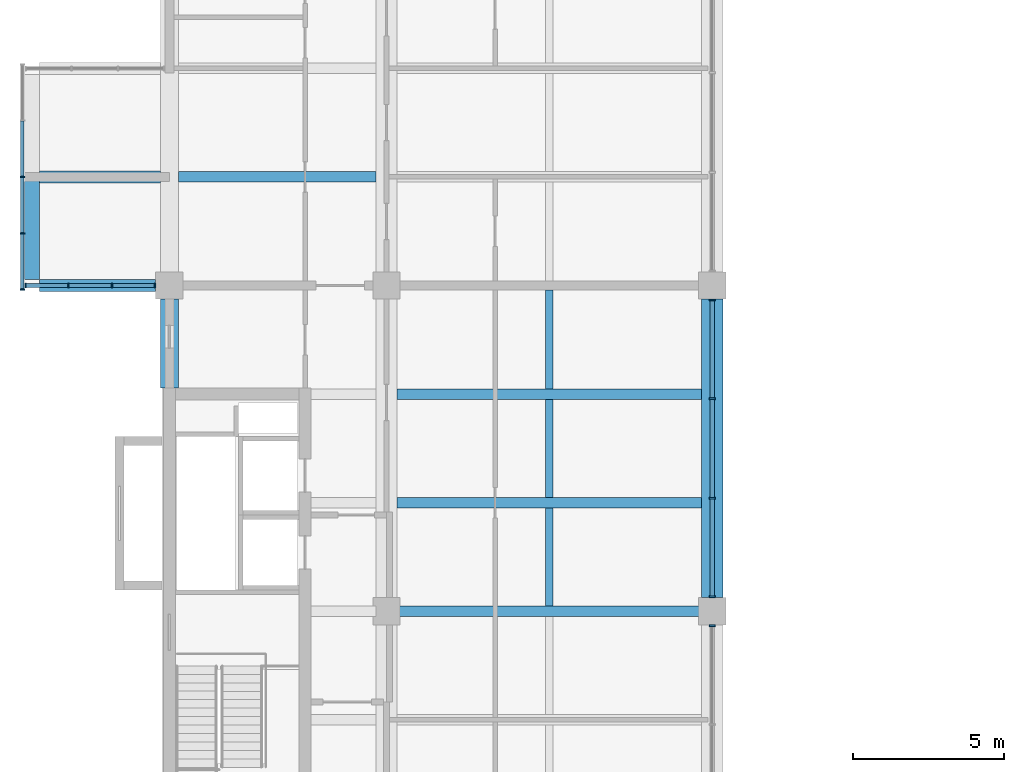
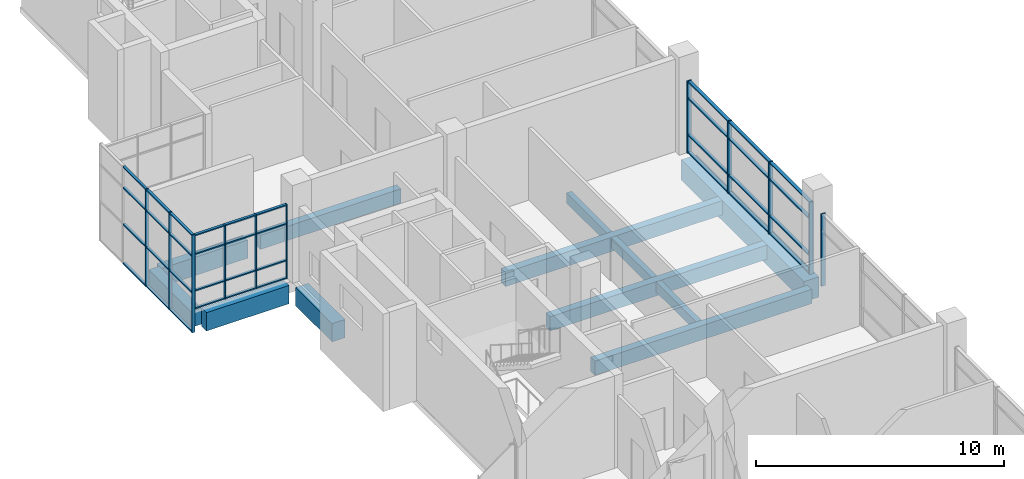
# One storey, part 7 of 23: 48 members, 12 beams, 4 elements without a shape of their own.
"""IFC4 building model written with IfcOpenShell, lengths in metres."""

from ifc_helpers import new_model, si_unit, direction, frame, origin, origin_2d, place, context, subcontext, project, spatial, rectangle, extrude, material, layer, layer_set, material_profile, profile_set, type_object, element, aggregate, save


model = new_model("IFC4")

# Units and contexts
model_context = context("Model", 3, precision=1e-05, world=origin(), true_north=direction((0.0, 1.0)))
body_context = subcontext(model_context, "Body", "Model", "MODEL_VIEW")
ifc_project = project(units=[si_unit("LENGTHUNIT", "METRE"), si_unit("AREAUNIT", "SQUARE_METRE"), si_unit("VOLUMEUNIT", "CUBIC_METRE"), si_unit("PLANEANGLEUNIT", "RADIAN"), si_unit("MASSUNIT", "GRAM", prefix="KILO")], contexts=[model_context])

# Site, building, storey
site_placement = place(None, origin())
site = spatial("IfcSite", under=ifc_project, at=site_placement, CompositionType="ELEMENT")
building_placement = place(site_placement, origin())
building = spatial("IfcBuilding", under=site, at=building_placement, Name="Basin Gate Institute", CompositionType="ELEMENT")
storey_placement = place(building_placement, frame((0.0, 0.0, 46.199951171875)))
storey = spatial("IfcBuildingStorey", under=building, at=storey_placement, Name="L09", CompositionType="ELEMENT", Elevation=46.199951171875)

# Beams
ifc_material_1 = material(Name="Concrete 40 MPa", Category="concrete")
ifc_material_profile_1 = material_profile(ifc_material_1, rectangle(XDim=0.35009765625, YDim=0.699951171875, at=origin_2d()), Name="Beam B1 350 x 700")
ifc_profile_set_1 = profile_set([ifc_material_profile_1], Name="Concrete 40 MPa")
beam_type_1 = type_object("IfcBeamType", Name="Beam B1 R120", PredefinedType="BEAM", material=ifc_profile_set_1)
for number, where, z_axis, x_axis, name in (
    (1, (68.75, 67.5, -0.599853515625), (1.0, 0.0, 0.0), (0.0, 1.0, 0.0), "BEAM/L09/W/EW/10"),
    (2, (68.75, 71.10009765625, -0.599853515625), (1.0, 0.0, 0.0), (0.0, 1.0, 0.0), "BEAM/L09/W/EW/11"),
    (3, (68.75, 74.699951171875, -0.599853515625), (1.0, 0.0, 0.0), (0.0, 1.0, 0.0), "BEAM/L09/W/EW/12"),
):
    element("IfcBeam", number, at=place(storey_placement, frame(where, z_axis=z_axis, x_axis=x_axis)), inside=storey, type_object=beam_type_1, material=ifc_profile_set_1, Name=name, PredefinedType="BEAM", context=body_context, shape_type="SweptSolid", body=[
        extrude(rectangle(XDim=0.35009765625, YDim=0.699951171875, at=origin_2d()), origin(), (0.0, 0.0, 1.0), 10.10009765625),
    ])
beam_1_placement = place(storey_placement, frame((61.5, 81.89990234375, -0.599853515625), z_axis=(1.0, 0.0, 0.0), x_axis=(0.0, 1.0, 0.0)))
element("IfcBeam", 4, at=beam_1_placement, inside=storey, type_object=beam_type_1, material=ifc_profile_set_1, Name="BEAM/L09/W/OUT/14", PredefinedType="BEAM", context=body_context, shape_type="SweptSolid", body=[
    extrude(rectangle(XDim=0.35009765625, YDim=0.699951171875, at=origin_2d()), origin(), (0.0, 0.0, 1.0), 6.550048828125),
])
ifc_material_2 = material(Name="Concrete 50 MPa", Category="concrete")
ifc_material_profile_2 = material_profile(ifc_material_2, rectangle(XDim=0.39990234375, YDim=0.89990234375, at=origin_2d()), Name="Cantilever beam B3 400 x 900")
ifc_profile_set_2 = profile_set([ifc_material_profile_2], Name="Concrete 50 MPa")
beam_type_2 = type_object("IfcBeamType", Name="Cantilever beam B3 R120", PredefinedType="BEAM", material=ifc_profile_set_2)
beam_2_placement = place(storey_placement, frame((56.89990234375, 78.300048828125, -0.699951171875), z_axis=(1.0, 0.0, 0.0), x_axis=(0.0, 1.0, 0.0)))
element("IfcBeam", 5, at=beam_2_placement, inside=storey, type_object=beam_type_2, material=ifc_profile_set_2, Name="BEAM/L09/W/CANT/13", PredefinedType="BEAM", context=body_context, shape_type="SweptSolid", body=[
    extrude(rectangle(XDim=0.39990234375, YDim=0.89990234375, at=origin_2d()), origin(), (0.0, 0.0, 1.0), 3.85009765625),
])
beam_3_placement = place(storey_placement, frame((56.89990234375, 81.89990234375, -0.699951171875), z_axis=(1.0, 0.0, 0.0), x_axis=(0.0, 1.0, 0.0)))
element("IfcBeam", 6, at=beam_3_placement, inside=storey, type_object=beam_type_2, material=ifc_profile_set_2, Name="BEAM/L09/W/CANT/14", PredefinedType="BEAM", context=body_context, shape_type="SweptSolid", body=[
    extrude(rectangle(XDim=0.39990234375, YDim=0.89990234375, at=origin_2d()), origin(), (0.0, 0.0, 1.0), 4.0),
])
ifc_material_3 = material(Name="Concrete 50 MPa", Category="concrete")
ifc_material_profile_3 = material_profile(ifc_material_3, rectangle(XDim=0.60009765625, YDim=0.89990234375, at=origin_2d()), Name="Edge return beam EB3 600 x 900")
ifc_profile_set_3 = profile_set([ifc_material_profile_3], Name="Concrete 50 MPa")
beam_type_3 = type_object("IfcBeamType", Name="Edge return beam EB3 R120", PredefinedType="SPANDREL", material=ifc_profile_set_3)
beam_4_placement = place(storey_placement, frame((61.199951171875, 74.89990234375, -0.699951171875), z_axis=(0.0, 1.0, 0.0), x_axis=(-1.0, 0.0, 0.0)))
element("IfcBeam", 7, at=beam_4_placement, inside=storey, type_object=beam_type_3, material=ifc_profile_set_3, Name="BEAM/L09/W/EDGE/3", PredefinedType="SPANDREL", context=body_context, shape_type="SweptSolid", body=[
    extrude(rectangle(XDim=0.60009765625, YDim=0.89990234375, at=origin_2d()), origin(), (0.0, 0.0, 1.0), 2.9501953125),
])
ifc_material_4 = material(Name="Concrete 50 MPa", Category="concrete")
ifc_material_profile_4 = material_profile(ifc_material_4, rectangle(XDim=0.699951171875, YDim=1.0, at=origin_2d()), Name="Girder G1 700 x 1000")
ifc_profile_set_4 = profile_set([ifc_material_profile_4], Name="Concrete 50 MPa")
beam_type_4 = type_object("IfcBeamType", Name="Girder G1 R120", PredefinedType="BEAM", material=ifc_profile_set_4)
beam_5_placement = place(storey_placement, frame((79.199951171875, 67.949951171875, -0.75), z_axis=(0.0, 1.0, 0.0), x_axis=(-1.0, 0.0, 0.0)))
element("IfcBeam", 8, at=beam_5_placement, inside=storey, type_object=beam_type_4, material=ifc_profile_set_4, Name="GIR/L09/W6/4", PredefinedType="BEAM", context=body_context, shape_type="SweptSolid", body=[
    extrude(rectangle(XDim=0.699951171875, YDim=1.0, at=origin_2d()), origin(), (0.0, 0.0, 1.0), 9.900146484375),
])

# Curtain wall, members
ifc_material_5 = material(Name="Aluminium-framed glazing", Category="aluminium")
ifc_layer_1 = layer(ifc_material_5, 0.14990234375)
ifc_layer_set_1 = layer_set([ifc_layer_1], Name="Capsule front curtain wall CW1")
curtain_wall_type_1 = type_object("IfcCurtainWallType", Name="Capsule front curtain wall CW1", PredefinedType="NOTDEFINED", material=ifc_layer_set_1)
curtain_wall_1_placement = place(storey_placement, origin())
curtain_wall_1 = element("IfcCurtainWall", 9, at=curtain_wall_1_placement, inside=storey, type_object=curtain_wall_type_1, material=ifc_layer_set_1, Name="Capsule front curtain wall W wing capsule end L09 line 13", PredefinedType="NOTDEFINED")
ifc_material_6 = material(Name="Aluminium", Category="aluminium")
ifc_material_profile_5 = material_profile(ifc_material_6, rectangle(XDim=0.14990234375, YDim=0.050048828125, at=origin_2d()), Name="Mullion MU1 150 x 50")
ifc_profile_set_5 = profile_set([ifc_material_profile_5], Name="Aluminium")
member_type_1 = type_object("IfcMemberType", Name="Mullion MU1", PredefinedType="MULLION", material=ifc_profile_set_5)
member_1_placement = place(storey_placement, frame((56.425048828125, 78.300048828125, 0.0), z_axis=(0.0, 0.0, 1.0), x_axis=(0.0, 1.0, 0.0)))
member_1 = element("IfcMember", 10, at=member_1_placement, type_object=member_type_1, material=ifc_profile_set_5, Name="CW1 mullion 1", PredefinedType="MULLION", context=body_context, shape_type="SweptSolid", body=[
    extrude(rectangle(XDim=0.14990234375, YDim=0.050048828125, at=origin_2d()), origin(), (0.0, 0.0, 1.0), 3.650146484375),
])
member_2_placement = place(storey_placement, frame((57.85009765625, 78.300048828125, 0.0), z_axis=(0.0, 0.0, 1.0), x_axis=(0.0, 1.0, 0.0)))
member_2 = element("IfcMember", 11, at=member_2_placement, type_object=member_type_1, material=ifc_profile_set_5, Name="CW1 mullion 2", PredefinedType="MULLION", context=body_context, shape_type="SweptSolid", body=[
    extrude(rectangle(XDim=0.14990234375, YDim=0.050048828125, at=origin_2d()), origin(), (0.0, 0.0, 1.0), 3.650146484375),
])
member_3_placement = place(storey_placement, frame((59.300048828125, 78.300048828125, 0.0), z_axis=(0.0, 0.0, 1.0), x_axis=(0.0, 1.0, 0.0)))
member_3 = element("IfcMember", 12, at=member_3_placement, type_object=member_type_1, material=ifc_profile_set_5, Name="CW1 mullion 3", PredefinedType="MULLION", context=body_context, shape_type="SweptSolid", body=[
    extrude(rectangle(XDim=0.14990234375, YDim=0.050048828125, at=origin_2d()), origin(), (0.0, 0.0, 1.0), 3.650146484375),
])
member_4_placement = place(storey_placement, frame((60.72509765625, 78.300048828125, 0.0), z_axis=(0.0, 0.0, 1.0), x_axis=(0.0, 1.0, 0.0)))
member_4 = element("IfcMember", 13, at=member_4_placement, type_object=member_type_1, material=ifc_profile_set_5, Name="CW1 mullion 4", PredefinedType="MULLION", context=body_context, shape_type="SweptSolid", body=[
    extrude(rectangle(XDim=0.14990234375, YDim=0.050048828125, at=origin_2d()), origin(), (0.0, 0.0, 1.0), 3.650146484375),
])

curtain_wall_2_placement = place(storey_placement, origin())
curtain_wall_2 = element("IfcCurtainWall", 14, at=curtain_wall_2_placement, inside=storey, type_object=curtain_wall_type_1, material=ifc_layer_set_1, Name="Capsule front curtain wall W wing capsule 2 L09 front 2", PredefinedType="NOTDEFINED")
member_5_placement = place(storey_placement, frame((56.324951171875, 78.175048828125, -1.050048828125), z_axis=(0.0, 0.0, 1.0), x_axis=(-1.0, 0.0, 0.0)))
member_5 = element("IfcMember", 15, at=member_5_placement, type_object=member_type_1, material=ifc_profile_set_5, Name="CW1 mullion 1", PredefinedType="MULLION", context=body_context, shape_type="SweptSolid", body=[
    extrude(rectangle(XDim=0.14990234375, YDim=0.050048828125, at=origin_2d()), origin(), (0.0, 0.0, 1.0), 4.800048828125),
])
member_6_placement = place(storey_placement, frame((56.324951171875, 80.02490234375, -1.050048828125), z_axis=(0.0, 0.0, 1.0), x_axis=(-1.0, 0.0, 0.0)))
member_6 = element("IfcMember", 16, at=member_6_placement, type_object=member_type_1, material=ifc_profile_set_5, Name="CW1 mullion 2", PredefinedType="MULLION", context=body_context, shape_type="SweptSolid", body=[
    extrude(rectangle(XDim=0.14990234375, YDim=0.050048828125, at=origin_2d()), origin(), (0.0, 0.0, 1.0), 4.800048828125),
])
member_7_placement = place(storey_placement, frame((56.324951171875, 81.89990234375, -1.050048828125), z_axis=(0.0, 0.0, 1.0), x_axis=(-1.0, 0.0, 0.0)))
member_7 = element("IfcMember", 17, at=member_7_placement, type_object=member_type_1, material=ifc_profile_set_5, Name="CW1 mullion 3", PredefinedType="MULLION", context=body_context, shape_type="SweptSolid", body=[
    extrude(rectangle(XDim=0.14990234375, YDim=0.050048828125, at=origin_2d()), origin(), (0.0, 0.0, 1.0), 4.800048828125),
])

# Curtain wall, member
ifc_material_7 = material(Name="Aluminium-framed glazing", Category="aluminium")
ifc_layer_2 = layer(ifc_material_7, 0.199951171875)
ifc_layer_set_2 = layer_set([ifc_layer_2], Name="Atrium curtain wall CW2")
curtain_wall_type_2 = type_object("IfcCurtainWallType", Name="Atrium curtain wall CW2", PredefinedType="NOTDEFINED", material=ifc_layer_set_2)
curtain_wall_3_placement = place(storey_placement, origin())
curtain_wall_3 = element("IfcCurtainWall", 18, at=curtain_wall_3_placement, inside=storey, type_object=curtain_wall_type_2, material=ifc_layer_set_2, Name="Atrium curtain wall W wing atrium bay 3 L09", PredefinedType="NOTDEFINED")
ifc_material_8 = material(Name="Aluminium", Category="aluminium")
ifc_material_profile_6 = material_profile(ifc_material_8, rectangle(XDim=0.199951171875, YDim=0.06005859375, at=origin_2d()), Name="Mullion MU2 200 x 60")
ifc_profile_set_6 = profile_set([ifc_material_profile_6], Name="Aluminium")
member_type_2 = type_object("IfcMemberType", Name="Mullion MU2", PredefinedType="MULLION", material=ifc_profile_set_6)
member_8_placement = place(storey_placement, frame((79.199951171875, 67.02001953125, 0.0), z_axis=(0.0, 0.0, 1.0), x_axis=(-1.0, 0.0, 0.0)))
member_8 = element("IfcMember", 19, at=member_8_placement, type_object=member_type_2, material=ifc_profile_set_6, Name="CW2 mullion 4", PredefinedType="MULLION", context=body_context, shape_type="SweptSolid", body=[
    extrude(rectangle(XDim=0.199951171875, YDim=0.06005859375, at=origin_2d()), origin(), (0.0, 0.0, 1.0), 3.550048828125),
])
aggregate(curtain_wall_3, [member_8])

# Curtain wall, members
curtain_wall_4_placement = place(storey_placement, origin())
curtain_wall_4 = element("IfcCurtainWall", 20, at=curtain_wall_4_placement, inside=storey, type_object=curtain_wall_type_2, material=ifc_layer_set_2, Name="Atrium curtain wall W wing atrium bay 4 L09", PredefinedType="NOTDEFINED")
member_9_placement = place(storey_placement, frame((79.199951171875, 67.97998046875, 0.0), z_axis=(0.0, 0.0, 1.0), x_axis=(-1.0, 0.0, 0.0)))
member_9 = element("IfcMember", 21, at=member_9_placement, type_object=member_type_2, material=ifc_profile_set_6, Name="CW2 mullion 1", PredefinedType="MULLION", context=body_context, shape_type="SweptSolid", body=[
    extrude(rectangle(XDim=0.199951171875, YDim=0.06005859375, at=origin_2d()), origin(), (0.0, 0.0, 1.0), 3.550048828125),
])
member_10_placement = place(storey_placement, frame((79.199951171875, 71.25, 0.0), z_axis=(0.0, 0.0, 1.0), x_axis=(-1.0, 0.0, 0.0)))
member_10 = element("IfcMember", 22, at=member_10_placement, type_object=member_type_2, material=ifc_profile_set_6, Name="CW2 mullion 2", PredefinedType="MULLION", context=body_context, shape_type="SweptSolid", body=[
    extrude(rectangle(XDim=0.199951171875, YDim=0.06005859375, at=origin_2d()), origin(), (0.0, 0.0, 1.0), 3.550048828125),
])
member_11_placement = place(storey_placement, frame((79.199951171875, 74.550048828125, 0.0), z_axis=(0.0, 0.0, 1.0), x_axis=(-1.0, 0.0, 0.0)))
member_11 = element("IfcMember", 23, at=member_11_placement, type_object=member_type_2, material=ifc_profile_set_6, Name="CW2 mullion 3", PredefinedType="MULLION", context=body_context, shape_type="SweptSolid", body=[
    extrude(rectangle(XDim=0.199951171875, YDim=0.06005859375, at=origin_2d()), origin(), (0.0, 0.0, 1.0), 3.550048828125),
])
member_12_placement = place(storey_placement, frame((79.199951171875, 77.820068359375, 0.0), z_axis=(0.0, 0.0, 1.0), x_axis=(-1.0, 0.0, 0.0)))
member_12 = element("IfcMember", 24, at=member_12_placement, type_object=member_type_2, material=ifc_profile_set_6, Name="CW2 mullion 4", PredefinedType="MULLION", context=body_context, shape_type="SweptSolid", body=[
    extrude(rectangle(XDim=0.199951171875, YDim=0.06005859375, at=origin_2d()), origin(), (0.0, 0.0, 1.0), 3.550048828125),
])

# Beams
ifc_material_9 = material(Name="Concrete 40 MPa", Category="concrete")
ifc_material_profile_7 = material_profile(ifc_material_9, rectangle(XDim=0.25, YDim=0.5, at=origin_2d()), Name="Rib R1 250 x 500")
ifc_profile_set_7 = profile_set([ifc_material_profile_7], Name="Concrete 40 MPa")
beam_type_5 = type_object("IfcBeamType", Name="Rib R1 R120", PredefinedType="JOIST", material=ifc_profile_set_7)
for number, where, z_axis, x_axis, name in (
    (25, (73.800048828125, 67.675048828125, -0.5), (0.0, 1.0, 0.0), (-1.0, 0.0, 0.0), "BEAM/L09/W/RIB/10"),
    (26, (73.800048828125, 71.27490234375, -0.5), (0.0, 1.0, 0.0), (-1.0, 0.0, 0.0), "BEAM/L09/W/RIB/11"),
):
    element("IfcBeam", number, at=place(storey_placement, frame(where, z_axis=z_axis, x_axis=x_axis)), inside=storey, type_object=beam_type_5, material=ifc_profile_set_7, Name=name, PredefinedType="JOIST", context=body_context, shape_type="SweptSolid", body=[
        extrude(rectangle(XDim=0.25, YDim=0.5, at=origin_2d()), origin(), (0.0, 0.0, 1.0), 3.25),
    ])
beam_6_placement = place(storey_placement, frame((73.800048828125, 74.875, -0.5), z_axis=(0.0, 1.0, 0.0), x_axis=(-1.0, 0.0, 0.0)))
element("IfcBeam", 27, at=beam_6_placement, inside=storey, type_object=beam_type_5, material=ifc_profile_set_7, Name="BEAM/L09/W/RIB/12", PredefinedType="JOIST", context=body_context, shape_type="SweptSolid", body=[
    extrude(rectangle(XDim=0.25, YDim=0.5, at=origin_2d()), origin(), (0.0, 0.0, 1.0), 3.27490234375),
])
ifc_material_10 = material(Name="Concrete 50 MPa", Category="concrete")
ifc_material_profile_8 = material_profile(ifc_material_10, rectangle(XDim=0.5, YDim=0.800048828125, at=origin_2d()), Name="Tip beam TB1 500 x 800")
ifc_profile_set_8 = profile_set([ifc_material_profile_8], Name="Concrete 50 MPa")
beam_type_6 = type_object("IfcBeamType", Name="Tip beam TB1 R120", PredefinedType="SPANDREL", material=ifc_profile_set_8)
beam_7_placement = place(storey_placement, frame((56.64990234375, 78.5, -0.64990234375), z_axis=(0.0, 1.0, 0.0), x_axis=(-1.0, 0.0, 0.0)))
element("IfcBeam", 28, at=beam_7_placement, inside=storey, type_object=beam_type_6, material=ifc_profile_set_8, Name="BEAM/L09/W/TIP/6", PredefinedType="SPANDREL", context=body_context, shape_type="SweptSolid", body=[
    extrude(rectangle(XDim=0.5, YDim=0.800048828125, at=origin_2d()), origin(), (0.0, 0.0, 1.0), 3.39990234375),
])

# Member
ifc_material_11 = material(Name="Aluminium", Category="aluminium")
ifc_material_profile_9 = material_profile(ifc_material_11, rectangle(XDim=0.1201171875, YDim=0.06005859375, at=origin_2d()), Name="Transom TR1 120 x 60")
ifc_profile_set_9 = profile_set([ifc_material_profile_9], Name="Aluminium")
member_type_3 = type_object("IfcMemberType", Name="Transom TR1", PredefinedType="USERDEFINED", material=ifc_profile_set_9)
member_13_placement = place(storey_placement, frame((56.449951171875, 78.300048828125, 0.030029296875), z_axis=(1.0, 0.0, 0.0), x_axis=(0.0, 1.0, 0.0)))
member_13 = element("IfcMember", 29, at=member_13_placement, type_object=member_type_3, material=ifc_profile_set_9, Name="CW1 transom 1.1", ObjectType="TRANSOM", PredefinedType="USERDEFINED", context=body_context, shape_type="SweptSolid", body=[
    extrude(rectangle(XDim=0.1201171875, YDim=0.06005859375, at=origin_2d()), origin(), (0.0, 0.0, 1.0), 1.375),
])

member_14_placement = place(storey_placement, frame((56.449951171875, 78.300048828125, 0.900146484375), z_axis=(1.0, 0.0, 0.0), x_axis=(0.0, 1.0, 0.0)))
member_14 = element("IfcMember", 30, at=member_14_placement, type_object=member_type_3, material=ifc_profile_set_9, Name="CW1 transom 1.2", ObjectType="TRANSOM", PredefinedType="USERDEFINED", context=body_context, shape_type="SweptSolid", body=[
    extrude(rectangle(XDim=0.1201171875, YDim=0.06005859375, at=origin_2d()), origin(), (0.0, 0.0, 1.0), 1.375),
])

member_15_placement = place(storey_placement, frame((56.449951171875, 78.300048828125, 2.699951171875), z_axis=(1.0, 0.0, 0.0), x_axis=(0.0, 1.0, 0.0)))
member_15 = element("IfcMember", 31, at=member_15_placement, type_object=member_type_3, material=ifc_profile_set_9, Name="CW1 transom 1.3", ObjectType="TRANSOM", PredefinedType="USERDEFINED", context=body_context, shape_type="SweptSolid", body=[
    extrude(rectangle(XDim=0.1201171875, YDim=0.06005859375, at=origin_2d()), origin(), (0.0, 0.0, 1.0), 1.375),
])

member_16_placement = place(storey_placement, frame((56.449951171875, 78.300048828125, 3.6201171875), z_axis=(1.0, 0.0, 0.0), x_axis=(0.0, 1.0, 0.0)))
member_16 = element("IfcMember", 32, at=member_16_placement, type_object=member_type_3, material=ifc_profile_set_9, Name="CW1 transom 1.4", ObjectType="TRANSOM", PredefinedType="USERDEFINED", context=body_context, shape_type="SweptSolid", body=[
    extrude(rectangle(XDim=0.1201171875, YDim=0.06005859375, at=origin_2d()), origin(), (0.0, 0.0, 1.0), 1.375),
])

member_17_placement = place(storey_placement, frame((57.875, 78.300048828125, 0.030029296875), z_axis=(1.0, 0.0, 0.0), x_axis=(0.0, 1.0, 0.0)))
member_17 = element("IfcMember", 33, at=member_17_placement, type_object=member_type_3, material=ifc_profile_set_9, Name="CW1 transom 2.1", ObjectType="TRANSOM", PredefinedType="USERDEFINED", context=body_context, shape_type="SweptSolid", body=[
    extrude(rectangle(XDim=0.1201171875, YDim=0.06005859375, at=origin_2d()), origin(), (0.0, 0.0, 1.0), 1.39990234375),
])

member_18_placement = place(storey_placement, frame((57.875, 78.300048828125, 0.900146484375), z_axis=(1.0, 0.0, 0.0), x_axis=(0.0, 1.0, 0.0)))
member_18 = element("IfcMember", 34, at=member_18_placement, type_object=member_type_3, material=ifc_profile_set_9, Name="CW1 transom 2.2", ObjectType="TRANSOM", PredefinedType="USERDEFINED", context=body_context, shape_type="SweptSolid", body=[
    extrude(rectangle(XDim=0.1201171875, YDim=0.06005859375, at=origin_2d()), origin(), (0.0, 0.0, 1.0), 1.39990234375),
])

member_19_placement = place(storey_placement, frame((57.875, 78.300048828125, 2.699951171875), z_axis=(1.0, 0.0, 0.0), x_axis=(0.0, 1.0, 0.0)))
member_19 = element("IfcMember", 35, at=member_19_placement, type_object=member_type_3, material=ifc_profile_set_9, Name="CW1 transom 2.3", ObjectType="TRANSOM", PredefinedType="USERDEFINED", context=body_context, shape_type="SweptSolid", body=[
    extrude(rectangle(XDim=0.1201171875, YDim=0.06005859375, at=origin_2d()), origin(), (0.0, 0.0, 1.0), 1.39990234375),
])

member_20_placement = place(storey_placement, frame((57.875, 78.300048828125, 3.6201171875), z_axis=(1.0, 0.0, 0.0), x_axis=(0.0, 1.0, 0.0)))
member_20 = element("IfcMember", 36, at=member_20_placement, type_object=member_type_3, material=ifc_profile_set_9, Name="CW1 transom 2.4", ObjectType="TRANSOM", PredefinedType="USERDEFINED", context=body_context, shape_type="SweptSolid", body=[
    extrude(rectangle(XDim=0.1201171875, YDim=0.06005859375, at=origin_2d()), origin(), (0.0, 0.0, 1.0), 1.39990234375),
])

member_21_placement = place(storey_placement, frame((59.324951171875, 78.300048828125, 0.030029296875), z_axis=(1.0, 0.0, 0.0), x_axis=(0.0, 1.0, 0.0)))
member_21 = element("IfcMember", 37, at=member_21_placement, type_object=member_type_3, material=ifc_profile_set_9, Name="CW1 transom 3.1", ObjectType="TRANSOM", PredefinedType="USERDEFINED", context=body_context, shape_type="SweptSolid", body=[
    extrude(rectangle(XDim=0.1201171875, YDim=0.06005859375, at=origin_2d()), origin(), (0.0, 0.0, 1.0), 1.375),
])

member_22_placement = place(storey_placement, frame((59.324951171875, 78.300048828125, 0.900146484375), z_axis=(1.0, 0.0, 0.0), x_axis=(0.0, 1.0, 0.0)))
member_22 = element("IfcMember", 38, at=member_22_placement, type_object=member_type_3, material=ifc_profile_set_9, Name="CW1 transom 3.2", ObjectType="TRANSOM", PredefinedType="USERDEFINED", context=body_context, shape_type="SweptSolid", body=[
    extrude(rectangle(XDim=0.1201171875, YDim=0.06005859375, at=origin_2d()), origin(), (0.0, 0.0, 1.0), 1.375),
])

member_23_placement = place(storey_placement, frame((59.324951171875, 78.300048828125, 2.699951171875), z_axis=(1.0, 0.0, 0.0), x_axis=(0.0, 1.0, 0.0)))
member_23 = element("IfcMember", 39, at=member_23_placement, type_object=member_type_3, material=ifc_profile_set_9, Name="CW1 transom 3.3", ObjectType="TRANSOM", PredefinedType="USERDEFINED", context=body_context, shape_type="SweptSolid", body=[
    extrude(rectangle(XDim=0.1201171875, YDim=0.06005859375, at=origin_2d()), origin(), (0.0, 0.0, 1.0), 1.375),
])

member_24_placement = place(storey_placement, frame((59.324951171875, 78.300048828125, 3.6201171875), z_axis=(1.0, 0.0, 0.0), x_axis=(0.0, 1.0, 0.0)))
member_24 = element("IfcMember", 40, at=member_24_placement, type_object=member_type_3, material=ifc_profile_set_9, Name="CW1 transom 3.4", ObjectType="TRANSOM", PredefinedType="USERDEFINED", context=body_context, shape_type="SweptSolid", body=[
    extrude(rectangle(XDim=0.1201171875, YDim=0.06005859375, at=origin_2d()), origin(), (0.0, 0.0, 1.0), 1.375),
])

aggregate(curtain_wall_1, [member_1, member_2, member_3, member_4, member_13, member_14, member_15, member_16, member_17, member_18, member_19, member_20, member_21, member_22, member_23, member_24])

member_25_placement = place(storey_placement, frame((56.324951171875, 78.199951171875, -1.02001953125), z_axis=(0.0, 1.0, 0.0), x_axis=(-1.0, 0.0, 0.0)))
member_25 = element("IfcMember", 41, at=member_25_placement, type_object=member_type_3, material=ifc_profile_set_9, Name="CW1 transom 1.1", ObjectType="TRANSOM", PredefinedType="USERDEFINED", context=body_context, shape_type="SweptSolid", body=[
    extrude(rectangle(XDim=0.1201171875, YDim=0.06005859375, at=origin_2d()), origin(), (0.0, 0.0, 1.0), 1.800048828125),
])

member_26_placement = place(storey_placement, frame((56.324951171875, 78.199951171875, 0.900146484375), z_axis=(0.0, 1.0, 0.0), x_axis=(-1.0, 0.0, 0.0)))
member_26 = element("IfcMember", 42, at=member_26_placement, type_object=member_type_3, material=ifc_profile_set_9, Name="CW1 transom 1.2", ObjectType="TRANSOM", PredefinedType="USERDEFINED", context=body_context, shape_type="SweptSolid", body=[
    extrude(rectangle(XDim=0.1201171875, YDim=0.06005859375, at=origin_2d()), origin(), (0.0, 0.0, 1.0), 1.800048828125),
])

member_27_placement = place(storey_placement, frame((56.324951171875, 78.199951171875, 2.699951171875), z_axis=(0.0, 1.0, 0.0), x_axis=(-1.0, 0.0, 0.0)))
member_27 = element("IfcMember", 43, at=member_27_placement, type_object=member_type_3, material=ifc_profile_set_9, Name="CW1 transom 1.3", ObjectType="TRANSOM", PredefinedType="USERDEFINED", context=body_context, shape_type="SweptSolid", body=[
    extrude(rectangle(XDim=0.1201171875, YDim=0.06005859375, at=origin_2d()), origin(), (0.0, 0.0, 1.0), 1.800048828125),
])

member_28_placement = place(storey_placement, frame((56.324951171875, 78.199951171875, 3.719970703125), z_axis=(0.0, 1.0, 0.0), x_axis=(-1.0, 0.0, 0.0)))
member_28 = element("IfcMember", 44, at=member_28_placement, type_object=member_type_3, material=ifc_profile_set_9, Name="CW1 transom 1.4", ObjectType="TRANSOM", PredefinedType="USERDEFINED", context=body_context, shape_type="SweptSolid", body=[
    extrude(rectangle(XDim=0.1201171875, YDim=0.06005859375, at=origin_2d()), origin(), (0.0, 0.0, 1.0), 1.800048828125),
])

member_29_placement = place(storey_placement, frame((56.324951171875, 80.050048828125, -1.02001953125), z_axis=(0.0, 1.0, 0.0), x_axis=(-1.0, 0.0, 0.0)))
member_29 = element("IfcMember", 45, at=member_29_placement, type_object=member_type_3, material=ifc_profile_set_9, Name="CW1 transom 2.1", ObjectType="TRANSOM", PredefinedType="USERDEFINED", context=body_context, shape_type="SweptSolid", body=[
    extrude(rectangle(XDim=0.1201171875, YDim=0.06005859375, at=origin_2d()), origin(), (0.0, 0.0, 1.0), 1.824951171875),
])

member_30_placement = place(storey_placement, frame((56.324951171875, 80.050048828125, 0.900146484375), z_axis=(0.0, 1.0, 0.0), x_axis=(-1.0, 0.0, 0.0)))
member_30 = element("IfcMember", 46, at=member_30_placement, type_object=member_type_3, material=ifc_profile_set_9, Name="CW1 transom 2.2", ObjectType="TRANSOM", PredefinedType="USERDEFINED", context=body_context, shape_type="SweptSolid", body=[
    extrude(rectangle(XDim=0.1201171875, YDim=0.06005859375, at=origin_2d()), origin(), (0.0, 0.0, 1.0), 1.824951171875),
])

member_31_placement = place(storey_placement, frame((56.324951171875, 80.050048828125, 2.699951171875), z_axis=(0.0, 1.0, 0.0), x_axis=(-1.0, 0.0, 0.0)))
member_31 = element("IfcMember", 47, at=member_31_placement, type_object=member_type_3, material=ifc_profile_set_9, Name="CW1 transom 2.3", ObjectType="TRANSOM", PredefinedType="USERDEFINED", context=body_context, shape_type="SweptSolid", body=[
    extrude(rectangle(XDim=0.1201171875, YDim=0.06005859375, at=origin_2d()), origin(), (0.0, 0.0, 1.0), 1.824951171875),
])

member_32_placement = place(storey_placement, frame((56.324951171875, 80.050048828125, 3.719970703125), z_axis=(0.0, 1.0, 0.0), x_axis=(-1.0, 0.0, 0.0)))
member_32 = element("IfcMember", 48, at=member_32_placement, type_object=member_type_3, material=ifc_profile_set_9, Name="CW1 transom 2.4", ObjectType="TRANSOM", PredefinedType="USERDEFINED", context=body_context, shape_type="SweptSolid", body=[
    extrude(rectangle(XDim=0.1201171875, YDim=0.06005859375, at=origin_2d()), origin(), (0.0, 0.0, 1.0), 1.824951171875),
])

member_33_placement = place(storey_placement, frame((56.324951171875, 81.925048828125, -1.02001953125), z_axis=(0.0, 1.0, 0.0), x_axis=(-1.0, 0.0, 0.0)))
member_33 = element("IfcMember", 49, at=member_33_placement, type_object=member_type_3, material=ifc_profile_set_9, Name="CW1 transom 3.1", ObjectType="TRANSOM", PredefinedType="USERDEFINED", context=body_context, shape_type="SweptSolid", body=[
    extrude(rectangle(XDim=0.1201171875, YDim=0.06005859375, at=origin_2d()), origin(), (0.0, 0.0, 1.0), 1.824951171875),
])

member_34_placement = place(storey_placement, frame((56.324951171875, 81.925048828125, 0.900146484375), z_axis=(0.0, 1.0, 0.0), x_axis=(-1.0, 0.0, 0.0)))
member_34 = element("IfcMember", 50, at=member_34_placement, type_object=member_type_3, material=ifc_profile_set_9, Name="CW1 transom 3.2", ObjectType="TRANSOM", PredefinedType="USERDEFINED", context=body_context, shape_type="SweptSolid", body=[
    extrude(rectangle(XDim=0.1201171875, YDim=0.06005859375, at=origin_2d()), origin(), (0.0, 0.0, 1.0), 1.824951171875),
])

member_35_placement = place(storey_placement, frame((56.324951171875, 81.925048828125, 2.699951171875), z_axis=(0.0, 1.0, 0.0), x_axis=(-1.0, 0.0, 0.0)))
member_35 = element("IfcMember", 51, at=member_35_placement, type_object=member_type_3, material=ifc_profile_set_9, Name="CW1 transom 3.3", ObjectType="TRANSOM", PredefinedType="USERDEFINED", context=body_context, shape_type="SweptSolid", body=[
    extrude(rectangle(XDim=0.1201171875, YDim=0.06005859375, at=origin_2d()), origin(), (0.0, 0.0, 1.0), 1.824951171875),
])

member_36_placement = place(storey_placement, frame((56.324951171875, 81.925048828125, 3.719970703125), z_axis=(0.0, 1.0, 0.0), x_axis=(-1.0, 0.0, 0.0)))
member_36 = element("IfcMember", 52, at=member_36_placement, type_object=member_type_3, material=ifc_profile_set_9, Name="CW1 transom 3.4", ObjectType="TRANSOM", PredefinedType="USERDEFINED", context=body_context, shape_type="SweptSolid", body=[
    extrude(rectangle(XDim=0.1201171875, YDim=0.06005859375, at=origin_2d()), origin(), (0.0, 0.0, 1.0), 1.824951171875),
])

aggregate(curtain_wall_2, [member_5, member_6, member_7, member_25, member_26, member_27, member_28, member_29, member_30, member_31, member_32, member_33, member_34, member_35, member_36])

ifc_material_12 = material(Name="Aluminium", Category="aluminium")
ifc_material_profile_10 = material_profile(ifc_material_12, rectangle(XDim=0.14990234375, YDim=0.06005859375, at=origin_2d()), Name="Transom TR2 150 x 60")
ifc_profile_set_10 = profile_set([ifc_material_profile_10], Name="Aluminium")
member_type_4 = type_object("IfcMemberType", Name="Transom TR2", PredefinedType="USERDEFINED", material=ifc_profile_set_10)
member_37_placement = place(storey_placement, frame((79.199951171875, 68.010009765625, 0.030029296875), z_axis=(0.0, 1.0, 0.0), x_axis=(-1.0, 0.0, 0.0)))
member_37 = element("IfcMember", 53, at=member_37_placement, type_object=member_type_4, material=ifc_profile_set_10, Name="CW2 transom 1.1", ObjectType="TRANSOM", PredefinedType="USERDEFINED", context=body_context, shape_type="SweptSolid", body=[
    extrude(rectangle(XDim=0.14990234375, YDim=0.06005859375, at=origin_2d()), origin(), (0.0, 0.0, 1.0), 3.2099609375),
])

member_38_placement = place(storey_placement, frame((79.199951171875, 68.010009765625, 0.900146484375), z_axis=(0.0, 1.0, 0.0), x_axis=(-1.0, 0.0, 0.0)))
member_38 = element("IfcMember", 54, at=member_38_placement, type_object=member_type_4, material=ifc_profile_set_10, Name="CW2 transom 1.2", ObjectType="TRANSOM", PredefinedType="USERDEFINED", context=body_context, shape_type="SweptSolid", body=[
    extrude(rectangle(XDim=0.14990234375, YDim=0.06005859375, at=origin_2d()), origin(), (0.0, 0.0, 1.0), 3.2099609375),
])

member_39_placement = place(storey_placement, frame((79.199951171875, 68.010009765625, 2.699951171875), z_axis=(0.0, 1.0, 0.0), x_axis=(-1.0, 0.0, 0.0)))
member_39 = element("IfcMember", 55, at=member_39_placement, type_object=member_type_4, material=ifc_profile_set_10, Name="CW2 transom 1.3", ObjectType="TRANSOM", PredefinedType="USERDEFINED", context=body_context, shape_type="SweptSolid", body=[
    extrude(rectangle(XDim=0.14990234375, YDim=0.06005859375, at=origin_2d()), origin(), (0.0, 0.0, 1.0), 3.2099609375),
])

member_40_placement = place(storey_placement, frame((79.199951171875, 68.010009765625, 3.52001953125), z_axis=(0.0, 1.0, 0.0), x_axis=(-1.0, 0.0, 0.0)))
member_40 = element("IfcMember", 56, at=member_40_placement, type_object=member_type_4, material=ifc_profile_set_10, Name="CW2 transom 1.4", ObjectType="TRANSOM", PredefinedType="USERDEFINED", context=body_context, shape_type="SweptSolid", body=[
    extrude(rectangle(XDim=0.14990234375, YDim=0.06005859375, at=origin_2d()), origin(), (0.0, 0.0, 1.0), 3.2099609375),
])

member_41_placement = place(storey_placement, frame((79.199951171875, 71.280029296875, 0.030029296875), z_axis=(0.0, 1.0, 0.0), x_axis=(-1.0, 0.0, 0.0)))
member_41 = element("IfcMember", 57, at=member_41_placement, type_object=member_type_4, material=ifc_profile_set_10, Name="CW2 transom 2.1", ObjectType="TRANSOM", PredefinedType="USERDEFINED", context=body_context, shape_type="SweptSolid", body=[
    extrude(rectangle(XDim=0.14990234375, YDim=0.06005859375, at=origin_2d()), origin(), (0.0, 0.0, 1.0), 3.239990234375),
])

member_42_placement = place(storey_placement, frame((79.199951171875, 71.280029296875, 0.900146484375), z_axis=(0.0, 1.0, 0.0), x_axis=(-1.0, 0.0, 0.0)))
member_42 = element("IfcMember", 58, at=member_42_placement, type_object=member_type_4, material=ifc_profile_set_10, Name="CW2 transom 2.2", ObjectType="TRANSOM", PredefinedType="USERDEFINED", context=body_context, shape_type="SweptSolid", body=[
    extrude(rectangle(XDim=0.14990234375, YDim=0.06005859375, at=origin_2d()), origin(), (0.0, 0.0, 1.0), 3.239990234375),
])

member_43_placement = place(storey_placement, frame((79.199951171875, 71.280029296875, 2.699951171875), z_axis=(0.0, 1.0, 0.0), x_axis=(-1.0, 0.0, 0.0)))
member_43 = element("IfcMember", 59, at=member_43_placement, type_object=member_type_4, material=ifc_profile_set_10, Name="CW2 transom 2.3", ObjectType="TRANSOM", PredefinedType="USERDEFINED", context=body_context, shape_type="SweptSolid", body=[
    extrude(rectangle(XDim=0.14990234375, YDim=0.06005859375, at=origin_2d()), origin(), (0.0, 0.0, 1.0), 3.239990234375),
])

member_44_placement = place(storey_placement, frame((79.199951171875, 71.280029296875, 3.52001953125), z_axis=(0.0, 1.0, 0.0), x_axis=(-1.0, 0.0, 0.0)))
member_44 = element("IfcMember", 60, at=member_44_placement, type_object=member_type_4, material=ifc_profile_set_10, Name="CW2 transom 2.4", ObjectType="TRANSOM", PredefinedType="USERDEFINED", context=body_context, shape_type="SweptSolid", body=[
    extrude(rectangle(XDim=0.14990234375, YDim=0.06005859375, at=origin_2d()), origin(), (0.0, 0.0, 1.0), 3.239990234375),
])

member_45_placement = place(storey_placement, frame((79.199951171875, 74.580078125, 0.030029296875), z_axis=(0.0, 1.0, 0.0), x_axis=(-1.0, 0.0, 0.0)))
member_45 = element("IfcMember", 61, at=member_45_placement, type_object=member_type_4, material=ifc_profile_set_10, Name="CW2 transom 3.1", ObjectType="TRANSOM", PredefinedType="USERDEFINED", context=body_context, shape_type="SweptSolid", body=[
    extrude(rectangle(XDim=0.14990234375, YDim=0.06005859375, at=origin_2d()), origin(), (0.0, 0.0, 1.0), 3.2099609375),
])

member_46_placement = place(storey_placement, frame((79.199951171875, 74.580078125, 0.900146484375), z_axis=(0.0, 1.0, 0.0), x_axis=(-1.0, 0.0, 0.0)))
member_46 = element("IfcMember", 62, at=member_46_placement, type_object=member_type_4, material=ifc_profile_set_10, Name="CW2 transom 3.2", ObjectType="TRANSOM", PredefinedType="USERDEFINED", context=body_context, shape_type="SweptSolid", body=[
    extrude(rectangle(XDim=0.14990234375, YDim=0.06005859375, at=origin_2d()), origin(), (0.0, 0.0, 1.0), 3.2099609375),
])

member_47_placement = place(storey_placement, frame((79.199951171875, 74.580078125, 2.699951171875), z_axis=(0.0, 1.0, 0.0), x_axis=(-1.0, 0.0, 0.0)))
member_47 = element("IfcMember", 63, at=member_47_placement, type_object=member_type_4, material=ifc_profile_set_10, Name="CW2 transom 3.3", ObjectType="TRANSOM", PredefinedType="USERDEFINED", context=body_context, shape_type="SweptSolid", body=[
    extrude(rectangle(XDim=0.14990234375, YDim=0.06005859375, at=origin_2d()), origin(), (0.0, 0.0, 1.0), 3.2099609375),
])

member_48_placement = place(storey_placement, frame((79.199951171875, 74.580078125, 3.52001953125), z_axis=(0.0, 1.0, 0.0), x_axis=(-1.0, 0.0, 0.0)))
member_48 = element("IfcMember", 64, at=member_48_placement, type_object=member_type_4, material=ifc_profile_set_10, Name="CW2 transom 3.4", ObjectType="TRANSOM", PredefinedType="USERDEFINED", context=body_context, shape_type="SweptSolid", body=[
    extrude(rectangle(XDim=0.14990234375, YDim=0.06005859375, at=origin_2d()), origin(), (0.0, 0.0, 1.0), 3.2099609375),
])

aggregate(curtain_wall_4, [member_9, member_10, member_11, member_12, member_37, member_38, member_39, member_40, member_41, member_42, member_43, member_44, member_45, member_46, member_47, member_48])

save(model, "model.ifc")
